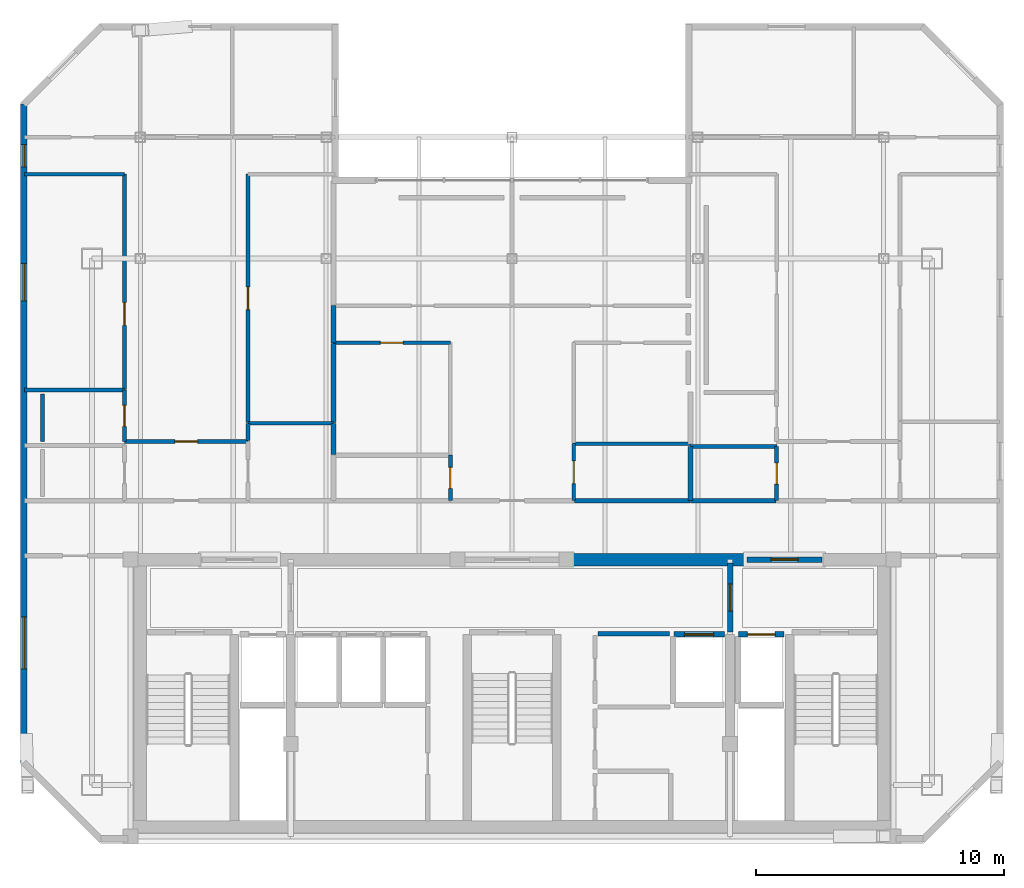
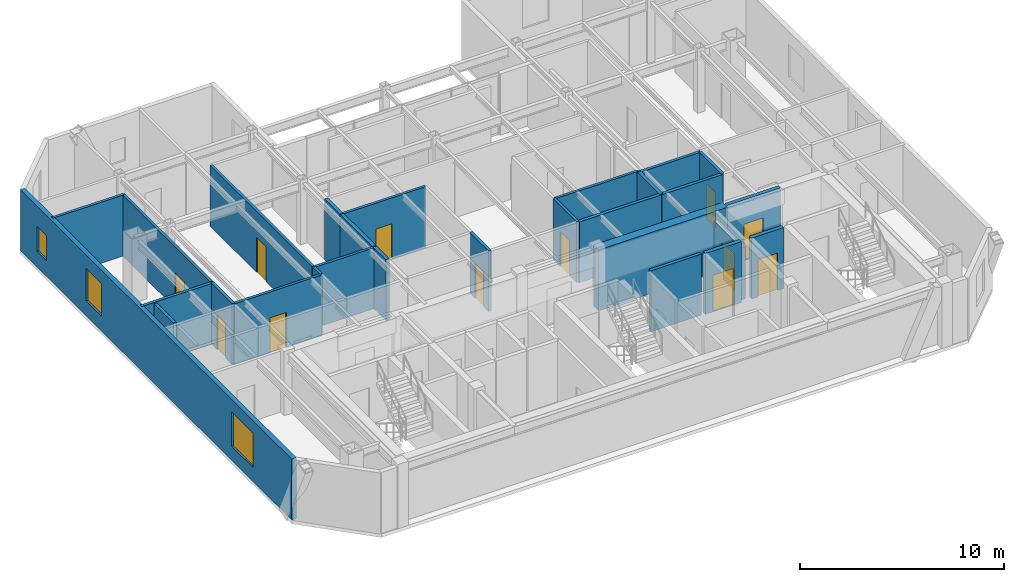
# One storey, part 7 of 10: 28 walls, 12 doors, 3 windows, 15 openings.
"""IFC4 building model written with IfcOpenShell, lengths in metres."""

from ifc_helpers import new_model, si_unit, direction, frame, frame_2d, origin, place, context, subcontext, project, spatial, rectangle, extrude, material, layer, layer_set, type_object, element, fill, save


model = new_model("IFC4")

# Units and contexts
model_context = context("Model", 3, precision=1e-05, world=origin(), true_north=direction((0.0, 1.0)))
body_context = subcontext(model_context, "Body", "Model", "MODEL_VIEW")
ifc_project = project(units=[si_unit("LENGTHUNIT", "METRE"), si_unit("AREAUNIT", "SQUARE_METRE"), si_unit("VOLUMEUNIT", "CUBIC_METRE"), si_unit("PLANEANGLEUNIT", "RADIAN"), si_unit("MASSUNIT", "GRAM", prefix="KILO")], contexts=[model_context])

# Site, building, storey
site_placement = place(None, origin())
site = spatial("IfcSite", under=ifc_project, at=site_placement, CompositionType="ELEMENT")
building_placement = place(site_placement, origin())
building = spatial("IfcBuilding", under=site, at=building_placement, Name="Ventersveld Concourse Tower", CompositionType="ELEMENT")
storey_placement = place(building_placement, frame((0.0, 0.0, 313.050048828125)))
storey = spatial("IfcBuildingStorey", under=building, at=storey_placement, Name="L77", CompositionType="ELEMENT", Elevation=313.050048828125)

# Walls
ifc_material_1 = material(Name="Concrete C50/60", Category="concrete")
ifc_layer_1 = layer(ifc_material_1, 0.5)
ifc_layer_set_1 = layer_set([ifc_layer_1], Name="Concrete C50/60")
wall_type_1 = type_object("IfcWallType", Name="WL-CORE-500", PredefinedType="SHEAR", material=ifc_layer_set_1)
wall_1_placement = place(storey_placement, frame((30.89990234375, 11.449951171875, 0.0), z_axis=(0.0, 0.0, 1.0), x_axis=(1.0, 0.0, 0.0)))
element("IfcWall", 1, at=wall_1_placement, inside=storey, type_object=wall_type_1, Name="L77 Rear Core North Shear Wall NMR", PredefinedType="SHEAR", context=body_context, shape_type="SweptSolid", body=[
    extrude(rectangle(XDim=7.300048828125, YDim=0.5, at=frame_2d((3.64990234375, 0.0))), origin(), (0.0, 0.0, 1.0), 3.64990234375),
])
ifc_material_2 = material(Name="Fire-rated autoclaved aerated masonry blockwork", Category="masonry")
ifc_layer_2 = layer(ifc_material_2, 0.179931640625)
ifc_layer_set_2 = layer_set([ifc_layer_2], Name="Fire-rated autoclaved aerated masonry blockwork")
wall_type_2 = type_object("IfcWallType", Name="WL-CORR-180", PredefinedType="PARTITIONING", material=ifc_layer_set_2)
wall_2_placement = place(storey_placement, frame((32.219970703125, 8.4599609375, 0.0), z_axis=(0.0, 0.0, 1.0), x_axis=(1.0, 0.0, 0.0)))
element("IfcWall", 2, at=wall_2_placement, inside=storey, type_object=wall_type_2, Name="L77 Core Top Wall SP-L77-CBAY1", PredefinedType="PARTITIONING", context=body_context, shape_type="SweptSolid", body=[
    extrude(rectangle(XDim=2.880126953125, YDim=0.179931640625, at=frame_2d((1.43994140625, 0.0))), origin(), (0.0, 0.0, 1.0), 3.64990234375),
])
wall_3_placement = place(storey_placement, frame((35.955078125, 13.830078125, 0.0), z_axis=(0.0, 0.0, 1.0), x_axis=(1.0, 0.0, 0.0)))
element("IfcWall", 3, at=wall_3_placement, inside=storey, type_object=wall_type_2, Name="L77 Interior Partition SP-L77-COR-SP-L77-77CE-BATH", PredefinedType="PARTITIONING", context=body_context, shape_type="SweptSolid", body=[
    extrude(rectangle(XDim=3.4423828125, YDim=0.179931640625, at=frame_2d((1.72119140625, 0.0))), origin(), (0.0, 0.0, 1.0), 3.64990234375),
])
wall_4_placement = place(storey_placement, frame((31.27490234375, 13.830078125, 0.0), z_axis=(0.0, 0.0, 1.0), x_axis=(1.0, 0.0, 0.0)))
element("IfcWall", 4, at=wall_4_placement, inside=storey, type_object=wall_type_2, Name="L77 Interior Partition SP-L77-COR-SP-L77-77CM-KIT", PredefinedType="PARTITIONING", context=body_context, shape_type="SweptSolid", body=[
    extrude(rectangle(XDim=4.650146484375, YDim=0.179931640625, at=frame_2d((2.3251953125, 0.0))), origin(), (0.0, 0.0, 1.0), 3.64990234375),
])
ifc_layer_3 = layer(ifc_material_2, 0.199951171875)
ifc_layer_set_3 = layer_set([ifc_layer_3], Name="Fire-rated autoclaved aerated masonry blockwork")
wall_type_3 = type_object("IfcWallType", Name="WL-DEMISE-200", PredefinedType="PARTITIONING", material=ifc_layer_set_3)
wall_5_placement = place(storey_placement, frame((21.5400390625, 15.695068359375, 0.0), z_axis=(0.0, 0.0, 1.0), x_axis=(0.0, 1.0, 0.0)))
element("IfcWall", 5, at=wall_5_placement, inside=storey, type_object=wall_type_3, Name="L77 Interior Partition SP-L77-77CW-KIT-SP-L77-77CM-MEDL0", PredefinedType="PARTITIONING", context=body_context, shape_type="SweptSolid", body=[
    extrude(rectangle(XDim=1.25732421875, YDim=0.199951171875, at=frame_2d((0.628662109375, 0.0))), origin(), (0.0, 0.0, 1.0), 3.64990234375),
])
wall_6_placement = place(storey_placement, frame((21.5400390625, 20.1923828125, 0.0), z_axis=(0.0, 0.0, 1.0), x_axis=(0.0, 1.0, 0.0)))
element("IfcWall", 6, at=wall_6_placement, inside=storey, type_object=wall_type_3, Name="L77 Interior Partition SP-L77-77CW-MEDR1-SP-L77-77CM-LIV", PredefinedType="PARTITIONING", context=body_context, shape_type="SweptSolid", body=[
    extrude(rectangle(XDim=1.510009765625, YDim=0.199951171875, at=frame_2d((0.7548828125, 0.0))), origin(), (0.0, 0.0, 1.0), 3.64990234375),
])
wall_7_placement = place(storey_placement, frame((21.5400390625, 16.982421875, 0.0), z_axis=(0.0, 0.0, 1.0), x_axis=(0.0, 1.0, 0.0)))
element("IfcWall", 7, at=wall_7_placement, inside=storey, type_object=wall_type_3, Name="L77 Interior Partition SP-L77-77CW-MEDR1-SP-L77-77CM-MEDL0", PredefinedType="PARTITIONING", context=body_context, shape_type="SweptSolid", body=[
    extrude(rectangle(XDim=3.18017578125, YDim=0.199951171875, at=frame_2d((1.590087890625, 0.0))), origin(), (0.0, 0.0, 1.0), 3.64990234375),
])
wall_8_placement = place(storey_placement, frame((35.9599609375, 13.824951171875, 0.0), z_axis=(0.0, 0.0, 1.0), x_axis=(0.0, 1.0, 0.0)))
element("IfcWall", 8, at=wall_8_placement, inside=storey, type_object=wall_type_3, Name="L77 Interior Partition SP-L77-77CE-BATH-SP-L77-77CM-KIT", PredefinedType="PARTITIONING", context=body_context, shape_type="SweptSolid", body=[
    extrude(rectangle(XDim=2.194580078125, YDim=0.199951171875, at=frame_2d((1.09716796875, 0.0))), origin(), (0.0, 0.0, 1.0), 3.64990234375),
])

# Wall, opening, door
ifc_layer_4 = layer(ifc_material_2, 0.219970703125)
ifc_layer_set_4 = layer_set([ifc_layer_4], Name="Fire-rated autoclaved aerated masonry blockwork")
wall_type_4 = type_object("IfcWallType", Name="WL-HOIST-220", PredefinedType="SOLIDWALL", material=ifc_layer_set_4)
wall_9_placement = place(storey_placement, frame((37.89990234375, 8.429931640625, 0.0), z_axis=(0.0, 0.0, 1.0), x_axis=(1.0, 0.0, 0.0)))
wall_9 = element("IfcWall", 9, at=wall_9_placement, inside=storey, type_object=wall_type_4, Name="L77 Lift Hoistway Front Wall FFL-02", PredefinedType="SOLIDWALL", context=body_context, shape_type="SweptSolid", body=[
    extrude(rectangle(XDim=1.820068359375, YDim=0.219970703125, at=frame_2d((0.91015625, 0.0))), origin(), (0.0, 0.0, 1.0), 3.64990234375),
])
opening_1_placement = place(wall_9_placement, frame((0.35009765625, 0.0, 0.0)))
opening_1 = element("IfcOpeningElement", 10, at=opening_1_placement, cuts=wall_9, Name="Opening LD1", PredefinedType="OPENING", context=body_context, shape_type="SweptSolid", body=[
    extrude(rectangle(XDim=1.1201171875, YDim=2.25, at=frame_2d((0.56005859375, 1.125))), frame((0.0, 0.1201171875, 0.0), z_axis=(0.0, -1.0, 0.0), x_axis=(1.0, 0.0, 0.0)), (0.0, 0.0, 1.0), 0.239990234375),
])
ifc_material_3 = material(Name="Brushed stainless steel 316", Category="steel")
door_type_1 = type_object("IfcDoorType", Name="LD-FF-112", OperationType="SLIDING_TO_LEFT", PredefinedType="DOOR", material=ifc_material_3)
door_1_placement = place(opening_1_placement, origin())
door_1 = element("IfcDoor", 11, at=door_1_placement, inside=storey, type_object=door_type_1, Name="L77 Lift landing door FFL-02 (LD-L77-FFL-02)", OperationType="SLIDING_TO_LEFT", OverallHeight=2.25, OverallWidth=1.1201171875, PredefinedType="DOOR", context=body_context, shape_type="SweptSolid", body=[
    extrude(rectangle(XDim=1.1201171875, YDim=2.25, at=frame_2d((0.56005859375, 1.125))), frame((0.0, 0.02490234375, 0.0), z_axis=(0.0, -1.0, 0.0), x_axis=(1.0, 0.0, 0.0)), (0.0, 0.0, 1.0), 0.050048828125),
])
fill(opening_1, door_1)

wall_10_placement = place(storey_placement, frame((35.280029296875, 8.429931640625, 0.0), z_axis=(0.0, 0.0, 1.0), x_axis=(1.0, 0.0, 0.0)))
wall_10 = element("IfcWall", 12, at=wall_10_placement, inside=storey, type_object=wall_type_4, Name="L77 Lift Hoistway Front Wall SVL-01", PredefinedType="SOLIDWALL", context=body_context, shape_type="SweptSolid", body=[
    extrude(rectangle(XDim=2.0400390625, YDim=0.219970703125, at=frame_2d((1.02001953125, 0.0))), origin(), (0.0, 0.0, 1.0), 3.64990234375),
])
opening_2_placement = place(wall_10_placement, frame((0.429931640625, 0.0, 0.0)))
opening_2 = element("IfcOpeningElement", 13, at=opening_2_placement, cuts=wall_10, Name="Opening LD2", PredefinedType="OPENING", context=body_context, shape_type="SweptSolid", body=[
    extrude(rectangle(XDim=1.179931640625, YDim=2.199951171875, at=frame_2d((0.58984375, 1.10009765625))), frame((0.0, 0.1201171875, 0.0), z_axis=(0.0, -1.0, 0.0), x_axis=(1.0, 0.0, 0.0)), (0.0, 0.0, 1.0), 0.239990234375),
])
door_type_2 = type_object("IfcDoorType", Name="LD-PAX-118", OperationType="SLIDING_TO_LEFT", PredefinedType="DOOR", material=ifc_material_3)
door_2_placement = place(opening_2_placement, origin())
door_2 = element("IfcDoor", 14, at=door_2_placement, inside=storey, type_object=door_type_2, Name="L77 Lift landing door SVL-01 (LD-L77-SVL-01)", OperationType="SLIDING_TO_RIGHT", OverallHeight=2.199951171875, OverallWidth=1.179931640625, PredefinedType="DOOR", context=body_context, shape_type="SweptSolid", body=[
    extrude(rectangle(XDim=1.179931640625, YDim=2.199951171875, at=frame_2d((0.58984375, 1.10009765625))), frame((0.0, 0.02490234375, 0.0), z_axis=(0.0, -1.0, 0.0), x_axis=(1.0, 0.0, 0.0)), (0.0, 0.0, 1.0), 0.050048828125),
])
fill(opening_2, door_2)

wall_11_placement = place(storey_placement, frame((37.550048828125, 8.52001953125, 0.0), z_axis=(0.0, 0.0, 1.0), x_axis=(0.0, 1.0, 0.0)))
wall_11 = element("IfcWall", 15, at=wall_11_placement, inside=storey, type_object=wall_type_4, Name="L77 Firefighting Lobby Smoke-Stop Wall FFLE-SEP", PredefinedType="SOLIDWALL", context=body_context, shape_type="SweptSolid", body=[
    extrude(rectangle(XDim=2.800048828125, YDim=0.219970703125, at=frame_2d((1.39990234375, 0.0))), origin(), (0.0, 0.0, 1.0), 3.10546875),
])
opening_3_placement = place(wall_11_placement, frame((0.85009765625, 0.0, 0.0)))
opening_3 = element("IfcOpeningElement", 16, at=opening_3_placement, cuts=wall_11, Name="Opening FD2", PredefinedType="OPENING", context=body_context, shape_type="SweptSolid", body=[
    extrude(rectangle(XDim=1.10009765625, YDim=2.199951171875, at=frame_2d((0.550048828125, 1.10009765625))), frame((0.0, 0.1201171875, 0.0), z_axis=(0.0, -1.0, 0.0), x_axis=(1.0, 0.0, 0.0)), (0.0, 0.0, 1.0), 0.239990234375),
])
ifc_material_4 = material(Name="Galvanised painted steel", Category="steel")
door_type_3 = type_object("IfcDoorType", Name="DR-FFL-110", OperationType="NOTDEFINED", PredefinedType="DOOR", material=ifc_material_4)
door_3_placement = place(opening_3_placement, origin())
door_3 = element("IfcDoor", 17, at=door_3_placement, inside=storey, type_object=door_type_3, Name="L77 Firefighting Lobby Door FFLE-SEP (FD-L77-3517)", OperationType="SINGLE_SWING_RIGHT", OverallHeight=2.199951171875, OverallWidth=1.10009765625, PredefinedType="DOOR", context=body_context, shape_type="SweptSolid", body=[
    extrude(rectangle(XDim=1.10009765625, YDim=2.199951171875, at=frame_2d((0.550048828125, 1.10009765625))), frame((0.0, 0.02490234375, 0.0), z_axis=(0.0, -1.0, 0.0), x_axis=(1.0, 0.0, 0.0)), (0.0, 0.0, 1.0), 0.050048828125),
])
fill(opening_3, door_3)

wall_12_placement = place(storey_placement, frame((38.22998046875, 11.449951171875, 0.0), z_axis=(0.0, 0.0, 1.0), x_axis=(1.0, 0.0, 0.0)))
wall_12 = element("IfcWall", 18, at=wall_12_placement, inside=storey, type_object=wall_type_4, Name="L77 Core North Fire Portal FFLE-OUT", PredefinedType="SOLIDWALL", context=body_context, shape_type="SweptSolid", body=[
    extrude(rectangle(XDim=3.0400390625, YDim=0.219970703125, at=frame_2d((1.52001953125, 0.0))), origin(), (0.0, 0.0, 1.0), 3.64990234375),
])
opening_4_placement = place(wall_12_placement, frame((0.969970703125, 0.0, 0.0)))
opening_4 = element("IfcOpeningElement", 19, at=opening_4_placement, cuts=wall_12, Name="Opening FD2", PredefinedType="OPENING", context=body_context, shape_type="SweptSolid", body=[
    extrude(rectangle(XDim=1.10009765625, YDim=2.199951171875, at=frame_2d((0.550048828125, 1.10009765625))), frame((0.0, 0.1201171875, 0.0), z_axis=(0.0, -1.0, 0.0), x_axis=(1.0, 0.0, 0.0)), (0.0, 0.0, 1.0), 0.239990234375),
])
door_4_placement = place(opening_4_placement, origin())
door_4 = element("IfcDoor", 20, at=door_4_placement, inside=storey, type_object=door_type_3, Name="L77 Core Lobby Fire Door FFLE-OUT (FD-L77-3520)", OperationType="SINGLE_SWING_LEFT", OverallHeight=2.199951171875, OverallWidth=1.10009765625, PredefinedType="DOOR", context=body_context, shape_type="SweptSolid", body=[
    extrude(rectangle(XDim=1.10009765625, YDim=2.199951171875, at=frame_2d((0.550048828125, 1.10009765625))), frame((0.0, 0.02490234375, 0.0), z_axis=(0.0, -1.0, 0.0), x_axis=(1.0, 0.0, 0.0)), (0.0, 0.0, 1.0), 0.050048828125),
])
fill(opening_4, door_4)

ifc_material_5 = material(Name="Autoclaved aerated masonry blockwork", Category="masonry")
ifc_layer_5 = layer(ifc_material_5, 0.14990234375)
ifc_layer_set_5 = layer_set([ifc_layer_5], Name="Autoclaved aerated masonry blockwork")
wall_type_5 = type_object("IfcWallType", Name="WL-INT-150", PredefinedType="PARTITIONING", material=ifc_layer_set_5)
wall_13_placement = place(storey_placement, frame((13.106689453125, 16.216552734375, 0.0), z_axis=(0.0, 0.0, 1.0), x_axis=(1.0, 0.0, 0.0)))
wall_13 = element("IfcWall", 21, at=wall_13_placement, inside=storey, type_object=wall_type_5, Name="L77 Interior Partition SP-L77-77CW-FOY-SP-L77-77CW-LIV", PredefinedType="PARTITIONING", context=body_context, shape_type="SweptSolid", body=[
    extrude(rectangle(XDim=4.989990234375, YDim=0.14990234375, at=frame_2d((2.4951171875, 0.0))), origin(), (0.0, 0.0, 1.0), 3.64990234375),
])
opening_5_placement = place(wall_13_placement, frame((2.034912109375, 0.0, 0.0)))
opening_5 = element("IfcOpeningElement", 22, at=opening_5_placement, cuts=wall_13, Name="Opening ID1", PredefinedType="OPENING", context=body_context, shape_type="SweptSolid", body=[
    extrude(rectangle(XDim=0.919921875, YDim=2.10009765625, at=frame_2d((0.4599609375, 1.050048828125))), frame((0.0, 0.0849609375, 0.0), z_axis=(0.0, -1.0, 0.0), x_axis=(1.0, 0.0, 0.0)), (0.0, 0.0, 1.0), 0.169921875),
])
ifc_material_6 = material(Name="Solid-core hardwood veneer timber", Category="wood")
door_type_4 = type_object("IfcDoorType", Name="DR-ROOM-092", OperationType="NOTDEFINED", PredefinedType="DOOR", material=ifc_material_6)
door_5_placement = place(opening_5_placement, origin())
door_5 = element("IfcDoor", 23, at=door_5_placement, inside=storey, type_object=door_type_4, Name="L77 Interior Door SP-L77-77CW-FOY to SP-L77-77CW-LIV (D-L77-3530)", OperationType="SINGLE_SWING_RIGHT", OverallHeight=2.10009765625, OverallWidth=0.919921875, PredefinedType="DOOR", context=body_context, shape_type="SweptSolid", body=[
    extrude(rectangle(XDim=0.919921875, YDim=2.10009765625, at=frame_2d((0.4599609375, 1.050048828125))), frame((0.0, 0.02490234375, 0.0), z_axis=(0.0, -1.0, 0.0), x_axis=(1.0, 0.0, 0.0)), (0.0, 0.0, 1.0), 0.050048828125),
])
fill(opening_5, door_5)

wall_14_placement = place(storey_placement, frame((13.11181640625, 18.32470703125, 0.0), z_axis=(0.0, 0.0, 1.0), x_axis=(0.0, 1.0, 0.0)))
wall_14 = element("IfcWall", 24, at=wall_14_placement, inside=storey, type_object=wall_type_5, Name="L77 Interior Partition SP-L77-77CW-LIV-SP-L77-77CW-OFFL0", PredefinedType="PARTITIONING", context=body_context, shape_type="SweptSolid", body=[
    extrude(rectangle(XDim=8.68017578125, YDim=0.14990234375, at=frame_2d((4.340087890625, 0.0))), origin(), (0.0, 0.0, 1.0), 3.64990234375),
])
opening_6_placement = place(wall_14_placement, frame((2.578125, 0.0, 0.0)))
opening_6 = element("IfcOpeningElement", 25, at=opening_6_placement, cuts=wall_14, Name="Opening ID1", PredefinedType="OPENING", context=body_context, shape_type="SweptSolid", body=[
    extrude(rectangle(XDim=0.919921875, YDim=2.10009765625, at=frame_2d((0.4599609375, 1.050048828125))), frame((0.0, 0.0849609375, 0.0), z_axis=(0.0, -1.0, 0.0), x_axis=(1.0, 0.0, 0.0)), (0.0, 0.0, 1.0), 0.169921875),
])
door_6_placement = place(opening_6_placement, origin())
door_6 = element("IfcDoor", 26, at=door_6_placement, inside=storey, type_object=door_type_4, Name="L77 Interior Door SP-L77-77CW-LIV to SP-L77-77CW-OFFL0 (D-L77-3534)", OperationType="SINGLE_SWING_RIGHT", OverallHeight=2.10009765625, OverallWidth=0.919921875, PredefinedType="DOOR", context=body_context, shape_type="SweptSolid", body=[
    extrude(rectangle(XDim=0.919921875, YDim=2.10009765625, at=frame_2d((0.4599609375, 1.050048828125))), frame((0.0, 0.02490234375, 0.0), z_axis=(0.0, -1.0, 0.0), x_axis=(1.0, 0.0, 0.0)), (0.0, 0.0, 1.0), 0.050048828125),
])
fill(opening_6, door_6)

# Walls
wall_15_placement = place(storey_placement, frame((9.0712890625, 27.0, 0.0), z_axis=(0.0, 0.0, 1.0), x_axis=(1.0, 0.0, 0.0)))
element("IfcWall", 27, at=wall_15_placement, inside=storey, type_object=wall_type_5, Name="L77 Interior Partition SP-L77-77CW-LIV-SP-L77-77CW-OFFL0", PredefinedType="PARTITIONING", context=body_context, shape_type="SweptSolid", body=[
    extrude(rectangle(XDim=4.04541015625, YDim=0.14990234375, at=frame_2d((2.022705078125, 0.0))), origin(), (0.0, 0.0, 1.0), 3.64990234375),
])
wall_16_placement = place(storey_placement, frame((18.091796875, 16.251708984375, 0.0), z_axis=(0.0, 0.0, 1.0), x_axis=(0.0, 1.0, 0.0)))
element("IfcWall", 28, at=wall_16_placement, inside=storey, type_object=wall_type_5, Name="L77 Interior Partition SP-L77-77CW-LIV-SP-L77-77CW-KIT", PredefinedType="PARTITIONING", context=body_context, shape_type="SweptSolid", body=[
    extrude(rectangle(XDim=0.70068359375, YDim=0.14990234375, at=frame_2d((0.350341796875, 0.0))), origin(), (0.0, 0.0, 1.0), 3.64990234375),
])

# Wall, opening, door
wall_17_placement = place(storey_placement, frame((18.091796875, 16.982421875, 0.0), z_axis=(0.0, 0.0, 1.0), x_axis=(0.0, 1.0, 0.0)))
wall_17 = element("IfcWall", 29, at=wall_17_placement, inside=storey, type_object=wall_type_5, Name="L77 Interior Partition SP-L77-77CW-LIV-SP-L77-77CW-MEDR1", PredefinedType="PARTITIONING", context=body_context, shape_type="SweptSolid", body=[
    extrude(rectangle(XDim=10.0224609375, YDim=0.14990234375, at=frame_2d((5.01123046875, 0.0))), origin(), (0.0, 0.0, 1.0), 3.64990234375),
])
opening_7_placement = place(wall_17_placement, frame((4.55126953125, 0.0, 0.0)))
opening_7 = element("IfcOpeningElement", 30, at=opening_7_placement, cuts=wall_17, Name="Opening ID1", PredefinedType="OPENING", context=body_context, shape_type="SweptSolid", body=[
    extrude(rectangle(XDim=0.919921875, YDim=2.10009765625, at=frame_2d((0.4599609375, 1.050048828125))), frame((0.0, 0.0849609375, 0.0), z_axis=(0.0, -1.0, 0.0), x_axis=(1.0, 0.0, 0.0)), (0.0, 0.0, 1.0), 0.169921875),
])
door_7_placement = place(opening_7_placement, origin())
door_7 = element("IfcDoor", 31, at=door_7_placement, inside=storey, type_object=door_type_4, Name="L77 Interior Door SP-L77-77CW-LIV to SP-L77-77CW-MEDR1 (D-L77-3535)", OperationType="SINGLE_SWING_LEFT", OverallHeight=2.10009765625, OverallWidth=0.919921875, PredefinedType="DOOR", context=body_context, shape_type="SweptSolid", body=[
    extrude(rectangle(XDim=0.919921875, YDim=2.10009765625, at=frame_2d((0.4599609375, 1.050048828125))), frame((0.0, 0.02490234375, 0.0), z_axis=(0.0, -1.0, 0.0), x_axis=(1.0, 0.0, 0.0)), (0.0, 0.0, 1.0), 0.050048828125),
])
fill(opening_7, door_7)

# Wall
wall_18_placement = place(storey_placement, frame((18.086669921875, 16.947265625, 0.0), z_axis=(0.0, 0.0, 1.0), x_axis=(1.0, 0.0, 0.0)))
element("IfcWall", 32, at=wall_18_placement, inside=storey, type_object=wall_type_5, Name="L77 Interior Partition SP-L77-77CW-KIT-SP-L77-77CW-MEDR1", PredefinedType="PARTITIONING", context=body_context, shape_type="SweptSolid", body=[
    extrude(rectangle(XDim=3.458251953125, YDim=0.14990234375, at=frame_2d((1.72900390625, 0.0))), origin(), (0.0, 0.0, 1.0), 3.64990234375),
])

# Wall, opening, door
wall_19_placement = place(storey_placement, frame((21.534912109375, 20.197509765625, 0.0), z_axis=(0.0, 0.0, 1.0), x_axis=(1.0, 0.0, 0.0)))
wall_19 = element("IfcWall", 33, at=wall_19_placement, inside=storey, type_object=wall_type_5, Name="L77 Interior Partition SP-L77-77CM-LIV-SP-L77-77CM-MEDL0", PredefinedType="PARTITIONING", context=body_context, shape_type="SweptSolid", body=[
    extrude(rectangle(XDim=4.72998046875, YDim=0.14990234375, at=frame_2d((2.364990234375, 0.0))), origin(), (0.0, 0.0, 1.0), 3.64990234375),
])
opening_8_placement = place(wall_19_placement, frame((1.905029296875, 0.0, 0.0)))
opening_8 = element("IfcOpeningElement", 34, at=opening_8_placement, cuts=wall_19, Name="Opening ID1", PredefinedType="OPENING", context=body_context, shape_type="SweptSolid", body=[
    extrude(rectangle(XDim=0.919921875, YDim=2.10009765625, at=frame_2d((0.4599609375, 1.050048828125))), frame((0.0, 0.0849609375, 0.0), z_axis=(0.0, -1.0, 0.0), x_axis=(1.0, 0.0, 0.0)), (0.0, 0.0, 1.0), 0.169921875),
])
door_8_placement = place(opening_8_placement, origin())
door_8 = element("IfcDoor", 35, at=door_8_placement, inside=storey, type_object=door_type_4, Name="L77 Interior Door SP-L77-77CM-LIV to SP-L77-77CM-MEDL0 (D-L77-3548)", OperationType="SINGLE_SWING_RIGHT", OverallHeight=2.10009765625, OverallWidth=0.919921875, PredefinedType="DOOR", context=body_context, shape_type="SweptSolid", body=[
    extrude(rectangle(XDim=0.919921875, YDim=2.10009765625, at=frame_2d((0.4599609375, 1.050048828125))), frame((0.0, 0.02490234375, 0.0), z_axis=(0.0, -1.0, 0.0), x_axis=(1.0, 0.0, 0.0)), (0.0, 0.0, 1.0), 0.050048828125),
])
fill(opening_8, door_8)

wall_20_placement = place(storey_placement, frame((31.239990234375, 13.824951171875, 0.0), z_axis=(0.0, 0.0, 1.0), x_axis=(0.0, 1.0, 0.0)))
wall_20 = element("IfcWall", 36, at=wall_20_placement, inside=storey, type_object=wall_type_5, Name="L77 Interior Partition SP-L77-77CM-LIV-SP-L77-77CM-KIT", PredefinedType="PARTITIONING", context=body_context, shape_type="SweptSolid", body=[
    extrude(rectangle(XDim=2.304443359375, YDim=0.14990234375, at=frame_2d((1.15234375, 0.0))), origin(), (0.0, 0.0, 1.0), 3.64990234375),
])
opening_9_placement = place(wall_20_placement, frame((0.6923828125, 0.0, 0.0)))
opening_9 = element("IfcOpeningElement", 37, at=opening_9_placement, cuts=wall_20, Name="Opening ID1", PredefinedType="OPENING", context=body_context, shape_type="SweptSolid", body=[
    extrude(rectangle(XDim=0.919921875, YDim=2.10009765625, at=frame_2d((0.4599609375, 1.050048828125))), frame((0.0, 0.0849609375, 0.0), z_axis=(0.0, -1.0, 0.0), x_axis=(1.0, 0.0, 0.0)), (0.0, 0.0, 1.0), 0.169921875),
])
door_9_placement = place(opening_9_placement, origin())
door_9 = element("IfcDoor", 38, at=door_9_placement, inside=storey, type_object=door_type_4, Name="L77 Interior Door SP-L77-77CM-LIV to SP-L77-77CM-KIT (D-L77-3549)", OperationType="SINGLE_SWING_LEFT", OverallHeight=2.10009765625, OverallWidth=0.919921875, PredefinedType="DOOR", context=body_context, shape_type="SweptSolid", body=[
    extrude(rectangle(XDim=0.919921875, YDim=2.10009765625, at=frame_2d((0.4599609375, 1.050048828125))), frame((0.0, 0.02490234375, 0.0), z_axis=(0.0, -1.0, 0.0), x_axis=(1.0, 0.0, 0.0)), (0.0, 0.0, 1.0), 0.050048828125),
])
fill(opening_9, door_9)

# Wall
wall_21_placement = place(storey_placement, frame((31.235107421875, 16.12451171875, 0.0), z_axis=(0.0, 0.0, 1.0), x_axis=(1.0, 0.0, 0.0)))
element("IfcWall", 39, at=wall_21_placement, inside=storey, type_object=wall_type_5, Name="L77 Interior Partition SP-L77-77CM-KIT-SP-L77-77CM-SEMR1", PredefinedType="PARTITIONING", context=body_context, shape_type="SweptSolid", body=[
    extrude(rectangle(XDim=4.72998046875, YDim=0.14990234375, at=frame_2d((2.364990234375, 0.0))), origin(), (0.0, 0.0, 1.0), 3.64990234375),
])

# Wall, openings, windows
ifc_material_7 = material(Name="Precast concrete C45/55", Category="concrete")
ifc_layer_6 = layer(ifc_material_7, 0.260009765625)
ifc_layer_set_6 = layer_set([ifc_layer_6], Name="Precast concrete C45/55")
wall_type_6 = type_object("IfcWallType", Name="WL-PREC-260", PredefinedType="SOLIDWALL", material=ifc_layer_set_6)
wall_22_placement = place(storey_placement, frame((9.052001953125, 29.847412109375, 0.0), z_axis=(0.0, 0.0, 1.0), x_axis=(0.0, -1.0, 0.0)))
wall_22 = element("IfcWall", 40, at=wall_22_placement, inside=storey, type_object=wall_type_6, Name="L77 Highveld Precast Facade Wall E11", PredefinedType="SOLIDWALL", context=body_context, shape_type="SweptSolid", body=[
    extrude(rectangle(XDim=26.607421875, YDim=0.260009765625, at=frame_2d((13.3037109375, 0.0))), origin(), (0.0, 0.0, 1.0), 3.64990234375),
])
opening_10_placement = place(wall_22_placement, frame((20.707275390625, 0.0, 0.85009765625)))
opening_10 = element("IfcOpeningElement", 41, at=opening_10_placement, cuts=wall_22, Name="Opening W7", PredefinedType="OPENING", context=body_context, shape_type="SweptSolid", body=[
    extrude(rectangle(XDim=2.10009765625, YDim=2.050048828125, at=frame_2d((1.050048828125, 1.02490234375))), frame((0.0, 0.14013671875, 0.0), z_axis=(0.0, -1.0, 0.0), x_axis=(1.0, 0.0, 0.0)), (0.0, 0.0, 1.0), 0.280029296875),
])
opening_11_placement = place(wall_22_placement, frame((1.6474609375, 0.0, 0.949951171875)))
opening_11 = element("IfcOpeningElement", 42, at=opening_11_placement, cuts=wall_22, Name="Opening W4", PredefinedType="OPENING", context=body_context, shape_type="SweptSolid", body=[
    extrude(rectangle(XDim=0.89990234375, YDim=1.5, at=frame_2d((0.449951171875, 0.75))), frame((0.0, 0.14013671875, 0.0), z_axis=(0.0, -1.0, 0.0), x_axis=(1.0, 0.0, 0.0)), (0.0, 0.0, 1.0), 0.280029296875),
])
opening_12_placement = place(wall_22_placement, frame((6.45263671875, 0.0, 0.89990234375)))
opening_12 = element("IfcOpeningElement", 43, at=opening_12_placement, cuts=wall_22, Name="Opening W1", PredefinedType="OPENING", context=body_context, shape_type="SweptSolid", body=[
    extrude(rectangle(XDim=1.5, YDim=1.949951171875, at=frame_2d((0.75, 0.97509765625))), frame((0.0, 0.14013671875, 0.0), z_axis=(0.0, -1.0, 0.0), x_axis=(1.0, 0.0, 0.0)), (0.0, 0.0, 1.0), 0.280029296875),
])
ifc_material_8 = material(Name="Tempered acoustic Low-E IGU", Category="glass")
window_type_1 = type_object("IfcWindowType", Name="WIN-090x150", PartitioningType="SINGLE_PANEL", PredefinedType="WINDOW", material=ifc_material_8)
window_1_placement = place(opening_11_placement, origin())
window_1 = element("IfcWindow", 44, at=window_1_placement, inside=storey, type_object=window_type_1, Name="L77 Punched Low-E Window W-1092", OverallHeight=1.5, OverallWidth=0.89990234375, PartitioningType="SINGLE_PANEL", PredefinedType="WINDOW", context=body_context, shape_type="SweptSolid", body=[
    extrude(rectangle(XDim=0.89990234375, YDim=1.5, at=frame_2d((0.449951171875, 0.75))), frame((0.0, 0.030029296875, 0.0), z_axis=(0.0, -1.0, 0.0), x_axis=(1.0, 0.0, 0.0)), (0.0, 0.0, 1.0), 0.06005859375),
])
fill(opening_11, window_1)
window_type_2 = type_object("IfcWindowType", Name="WIN-150x210", PartitioningType="SINGLE_PANEL", PredefinedType="WINDOW", material=ifc_material_8)
window_2_placement = place(opening_12_placement, origin())
window_2 = element("IfcWindow", 45, at=window_2_placement, inside=storey, type_object=window_type_2, Name="L77 Punched Low-E Window W-1093", OverallHeight=1.949951171875, OverallWidth=1.5, PartitioningType="SINGLE_PANEL", PredefinedType="WINDOW", context=body_context, shape_type="SweptSolid", body=[
    extrude(rectangle(XDim=1.5, YDim=1.949951171875, at=frame_2d((0.75, 0.97509765625))), frame((0.0, 0.030029296875, 0.0), z_axis=(0.0, -1.0, 0.0), x_axis=(1.0, 0.0, 0.0)), (0.0, 0.0, 1.0), 0.06005859375),
])
fill(opening_12, window_2)
window_type_3 = type_object("IfcWindowType", Name="WIN-210x205", PartitioningType="SINGLE_PANEL", PredefinedType="WINDOW", material=ifc_material_8)
window_3_placement = place(opening_10_placement, origin())
window_3 = element("IfcWindow", 46, at=window_3_placement, inside=storey, type_object=window_type_3, Name="L77 Punched Low-E Window W-1090", OverallHeight=2.050048828125, OverallWidth=2.10009765625, PartitioningType="SINGLE_PANEL", PredefinedType="WINDOW", context=body_context, shape_type="SweptSolid", body=[
    extrude(rectangle(XDim=2.10009765625, YDim=2.050048828125, at=frame_2d((1.050048828125, 1.02490234375))), frame((0.0, 0.030029296875, 0.0), z_axis=(0.0, -1.0, 0.0), x_axis=(1.0, 0.0, 0.0)), (0.0, 0.0, 1.0), 0.06005859375),
])
fill(opening_10, window_3)

# Wall, opening, door
ifc_layer_7 = layer(ifc_material_5, 0.1650390625)
ifc_layer_set_7 = layer_set([ifc_layer_7], Name="Autoclaved aerated masonry blockwork")
wall_type_7 = type_object("IfcWallType", Name="WL-WET-165", PredefinedType="PLUMBINGWALL", material=ifc_layer_set_7)
wall_23_placement = place(storey_placement, frame((13.11181640625, 16.211669921875, 0.0), z_axis=(0.0, 0.0, 1.0), x_axis=(0.0, 1.0, 0.0)))
wall_23 = element("IfcWall", 47, at=wall_23_placement, inside=storey, type_object=wall_type_7, Name="L77 Interior Partition SP-L77-77CW-LIV-SP-L77-77CW-PWDL2", PredefinedType="PLUMBINGWALL", context=body_context, shape_type="SweptSolid", body=[
    extrude(rectangle(XDim=2.0830078125, YDim=0.1650390625, at=frame_2d((1.04150390625, 0.0))), origin(), (0.0, 0.0, 1.0), 3.64990234375),
])
opening_13_placement = place(wall_23_placement, frame((0.616455078125, 0.0, 0.0)))
opening_13 = element("IfcOpeningElement", 48, at=opening_13_placement, cuts=wall_23, Name="Opening ID2", PredefinedType="OPENING", context=body_context, shape_type="SweptSolid", body=[
    extrude(rectangle(XDim=0.85009765625, YDim=2.10009765625, at=frame_2d((0.425048828125, 1.050048828125))), frame((0.0, 0.092529296875, 0.0), z_axis=(0.0, -1.0, 0.0), x_axis=(1.0, 0.0, 0.0)), (0.0, 0.0, 1.0), 0.18505859375),
])
door_type_5 = type_object("IfcDoorType", Name="DR-BATH-085", OperationType="NOTDEFINED", PredefinedType="DOOR", material=ifc_material_6)
door_10_placement = place(opening_13_placement, origin())
door_10 = element("IfcDoor", 49, at=door_10_placement, inside=storey, type_object=door_type_5, Name="L77 Interior Door SP-L77-77CW-LIV to SP-L77-77CW-PWDL2 (D-L77-3533)", OperationType="SINGLE_SWING_LEFT", OverallHeight=2.10009765625, OverallWidth=0.85009765625, PredefinedType="DOOR", context=body_context, shape_type="SweptSolid", body=[
    extrude(rectangle(XDim=0.85009765625, YDim=2.10009765625, at=frame_2d((0.425048828125, 1.050048828125))), frame((0.0, 0.02490234375, 0.0), z_axis=(0.0, -1.0, 0.0), x_axis=(1.0, 0.0, 0.0)), (0.0, 0.0, 1.0), 0.050048828125),
])
fill(opening_13, door_10)

# Wall
wall_24_placement = place(storey_placement, frame((9.0712890625, 18.28955078125, 0.0), z_axis=(0.0, 0.0, 1.0), x_axis=(1.0, 0.0, 0.0)))
element("IfcWall", 50, at=wall_24_placement, inside=storey, type_object=wall_type_7, Name="L77 Interior Partition SP-L77-77CW-PWDL2-SP-L77-77CW-OFFL0", PredefinedType="PLUMBINGWALL", context=body_context, shape_type="SweptSolid", body=[
    extrude(rectangle(XDim=4.04541015625, YDim=0.1650390625, at=frame_2d((2.022705078125, 0.0))), origin(), (0.0, 0.0, 1.0), 3.64990234375),
])

# Wall, opening, door
wall_25_placement = place(storey_placement, frame((39.4326171875, 13.824951171875, 0.0), z_axis=(0.0, 0.0, 1.0), x_axis=(0.0, 1.0, 0.0)))
wall_25 = element("IfcWall", 51, at=wall_25_placement, inside=storey, type_object=wall_type_7, Name="L77 Interior Partition SP-L77-77CE-FOY-SP-L77-77CE-BATH", PredefinedType="PLUMBINGWALL", context=body_context, shape_type="SweptSolid", body=[
    extrude(rectangle(XDim=2.194580078125, YDim=0.1650390625, at=frame_2d((1.09716796875, 0.0))), origin(), (0.0, 0.0, 1.0), 3.64990234375),
])
opening_14_placement = place(wall_25_placement, frame((0.67236328125, 0.0, 0.0)))
opening_14 = element("IfcOpeningElement", 52, at=opening_14_placement, cuts=wall_25, Name="Opening ID2", PredefinedType="OPENING", context=body_context, shape_type="SweptSolid", body=[
    extrude(rectangle(XDim=0.85009765625, YDim=2.10009765625, at=frame_2d((0.425048828125, 1.050048828125))), frame((0.0, 0.092529296875, 0.0), z_axis=(0.0, -1.0, 0.0), x_axis=(1.0, 0.0, 0.0)), (0.0, 0.0, 1.0), 0.18505859375),
])
door_11_placement = place(opening_14_placement, origin())
door_11 = element("IfcDoor", 53, at=door_11_placement, inside=storey, type_object=door_type_5, Name="L77 Interior Door SP-L77-77CE-FOY to SP-L77-77CE-BATH (D-L77-3540)", OperationType="SINGLE_SWING_RIGHT", OverallHeight=2.10009765625, OverallWidth=0.85009765625, PredefinedType="DOOR", context=body_context, shape_type="SweptSolid", body=[
    extrude(rectangle(XDim=0.85009765625, YDim=2.10009765625, at=frame_2d((0.425048828125, 1.050048828125))), frame((0.0, 0.02490234375, 0.0), z_axis=(0.0, -1.0, 0.0), x_axis=(1.0, 0.0, 0.0)), (0.0, 0.0, 1.0), 0.050048828125),
])
fill(opening_14, door_11)

# Wall
wall_26_placement = place(storey_placement, frame((35.955078125, 16.0146484375, 0.0), z_axis=(0.0, 0.0, 1.0), x_axis=(1.0, 0.0, 0.0)))
element("IfcWall", 54, at=wall_26_placement, inside=storey, type_object=wall_type_7, Name="L77 Interior Partition SP-L77-77CE-BATH-SP-L77-77CE-PWDL2", PredefinedType="PLUMBINGWALL", context=body_context, shape_type="SweptSolid", body=[
    extrude(rectangle(XDim=3.482421875, YDim=0.1650390625, at=frame_2d((1.7412109375, 0.0))), origin(), (0.0, 0.0, 1.0), 3.64990234375),
])

# Wall, opening, door
wall_27_placement = place(storey_placement, frame((26.260009765625, 13.824951171875, 0.0), z_axis=(0.0, 0.0, 1.0), x_axis=(0.0, 1.0, 0.0)))
wall_27 = element("IfcWall", 55, at=wall_27_placement, inside=storey, type_object=wall_type_7, Name="L77 Interior Partition SP-L77-77CM-LIV-SP-L77-77CM-BATH", PredefinedType="PLUMBINGWALL", context=body_context, shape_type="SweptSolid", body=[
    extrude(rectangle(XDim=1.840087890625, YDim=0.1650390625, at=frame_2d((0.919921875, 0.0))), origin(), (0.0, 0.0, 1.0), 3.64990234375),
])
opening_15_placement = place(wall_27_placement, frame((0.4951171875, 0.0, 0.0)))
opening_15 = element("IfcOpeningElement", 56, at=opening_15_placement, cuts=wall_27, Name="Opening ID2", PredefinedType="OPENING", context=body_context, shape_type="SweptSolid", body=[
    extrude(rectangle(XDim=0.85009765625, YDim=2.10009765625, at=frame_2d((0.425048828125, 1.050048828125))), frame((0.0, 0.092529296875, 0.0), z_axis=(0.0, -1.0, 0.0), x_axis=(1.0, 0.0, 0.0)), (0.0, 0.0, 1.0), 0.18505859375),
])
door_12_placement = place(opening_15_placement, origin())
door_12 = element("IfcDoor", 57, at=door_12_placement, inside=storey, type_object=door_type_5, Name="L77 Interior Door SP-L77-77CM-LIV to SP-L77-77CM-BATH (D-L77-3547)", OperationType="SINGLE_SWING_LEFT", OverallHeight=2.10009765625, OverallWidth=0.85009765625, PredefinedType="DOOR", context=body_context, shape_type="SweptSolid", body=[
    extrude(rectangle(XDim=0.85009765625, YDim=2.10009765625, at=frame_2d((0.425048828125, 1.050048828125))), frame((0.0, 0.02490234375, 0.0), z_axis=(0.0, -1.0, 0.0), x_axis=(1.0, 0.0, 0.0)), (0.0, 0.0, 1.0), 0.050048828125),
])
fill(opening_15, door_12)

# Wall
wall_28_placement = place(storey_placement, frame((9.802001953125, 16.224853515625, 0.0), z_axis=(0.0, 0.0, 1.0), x_axis=(0.0, 1.0, 0.0)))
element("IfcWall", 58, at=wall_28_placement, inside=storey, type_object=wall_type_7, Name="L77 Room Enclosure Wall SP-L77-77CW-PWDL2", PredefinedType="PLUMBINGWALL", context=body_context, shape_type="SweptSolid", body=[
    extrude(rectangle(XDim=1.899658203125, YDim=0.1650390625, at=frame_2d((0.94970703125, 0.0))), origin(), (0.0, 0.0, 1.0), 3.64990234375),
])

save(model, "model.ifc")
